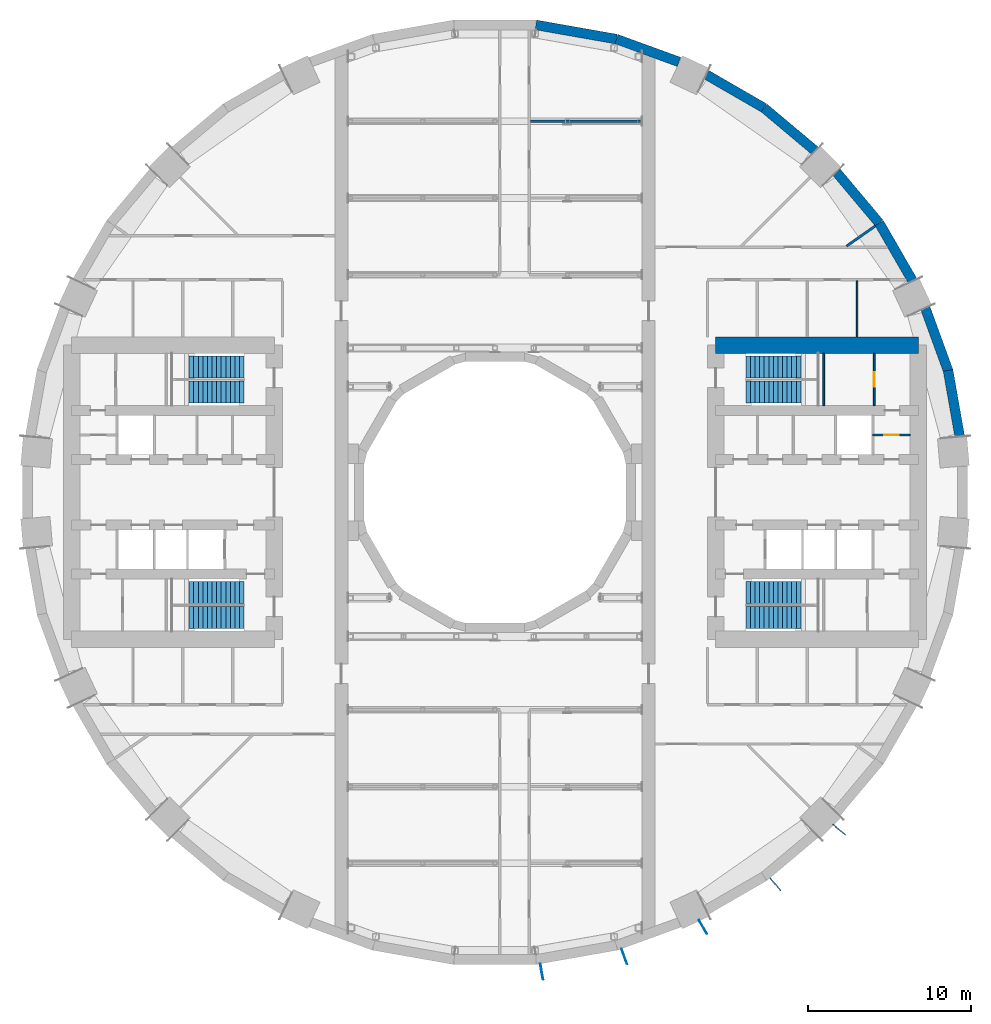
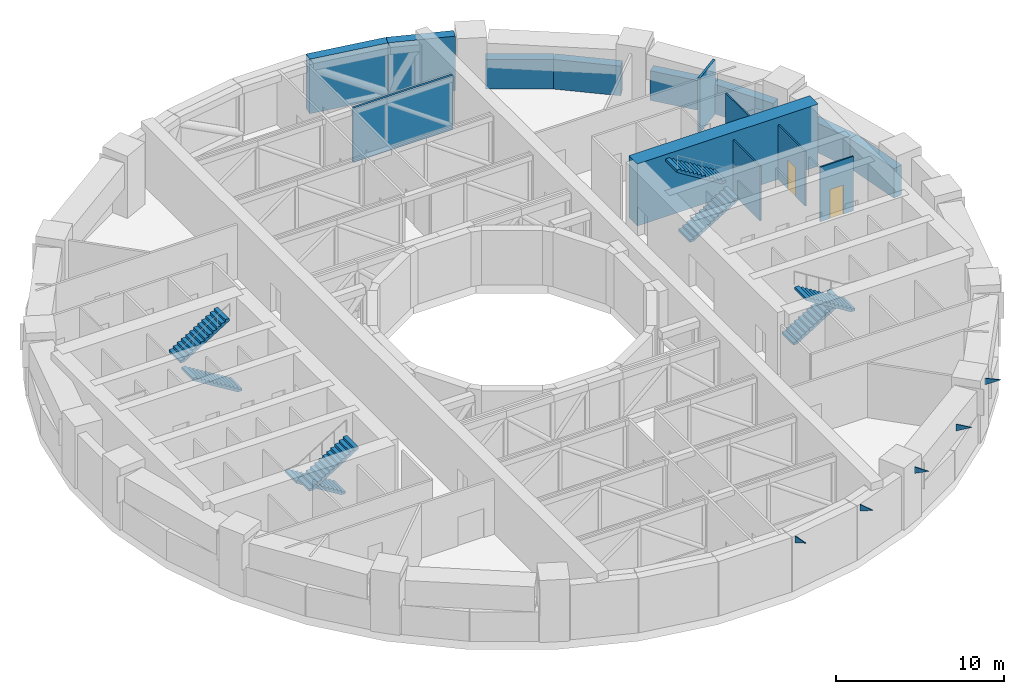
# One storey, part 18 of 21: 15 walls, 8 stair flights, 5 discrete accessories, 2 doors, 2 openings, 4 elements without a shape of their own.
"""IFC4 building model written with IfcOpenShell, lengths in metres."""

from ifc_helpers import new_model, si_unit, direction, frame, frame_2d, origin, place, context, subcontext, project, spatial, polyline, rectangle, outline, extrude, material, layer, layer_set, type_object, element, fill, aggregate, save


model = new_model("IFC4")

# Units and contexts
model_context = context("Model", 3, precision=1e-05, world=origin(), true_north=direction((0.0, 1.0)))
body_context = subcontext(model_context, "Body", "Model", "MODEL_VIEW")
ifc_project = project(units=[si_unit("LENGTHUNIT", "METRE"), si_unit("AREAUNIT", "SQUARE_METRE"), si_unit("VOLUMEUNIT", "CUBIC_METRE"), si_unit("PLANEANGLEUNIT", "RADIAN"), si_unit("MASSUNIT", "GRAM", prefix="KILO")], contexts=[model_context])

# Site, building, storey
site_placement = place(None, origin())
site = spatial("IfcSite", under=ifc_project, at=site_placement, CompositionType="ELEMENT")
building_placement = place(site_placement, origin())
building = spatial("IfcBuilding", under=site, at=building_placement, Name="Saqina Gate Tower", CompositionType="ELEMENT")
storey_placement = place(building_placement, frame((0.0, 0.0, 21.800048828125)))
storey = spatial("IfcBuildingStorey", under=building, at=storey_placement, Name="L05", CompositionType="ELEMENT", Elevation=21.800048828125)

# Wall, opening, door
ifc_material_1 = material(Name="Gypsum board on steel studs", Category="steel")
ifc_layer_1 = layer(ifc_material_1, 0.10009765625)
ifc_layer_set_1 = layer_set([ifc_layer_1], Name="CORE PARTITION")
wall_type_1 = type_object("IfcWallType", Name="CORE PARTITION", PredefinedType="PARTITIONING", material=ifc_layer_set_1)
wall_1_placement = place(storey_placement, frame((23.1201171875, 3.5, 0.0), z_axis=(0.0, 0.0, 1.0), x_axis=(1.0, 0.0, 0.0)))
wall_1 = element("IfcWall", 1, at=wall_1_placement, inside=storey, type_object=wall_type_1, Name="L05-CP-E09", PredefinedType="PARTITIONING", context=body_context, shape_type="SweptSolid", body=[
    extrude(rectangle(XDim=2.27978515625, YDim=0.10009765625, at=frame_2d((1.139892578125, 0.0))), origin(), (0.0, 0.0, 1.0), 3.949951171875),
])
opening_1_placement = place(wall_1_placement, frame((0.68994140625, 0.0, 0.0)))
opening_1 = element("IfcOpeningElement", 2, at=opening_1_placement, cuts=wall_1, Name="Opening L05-D96", PredefinedType="OPENING", context=body_context, shape_type="SweptSolid", body=[
    extrude(rectangle(XDim=0.89990234375, YDim=2.10009765625, at=frame_2d((0.449951171875, 1.050048828125))), frame((0.0, 0.06201171875, 0.0), z_axis=(0.0, -1.0, 0.0), x_axis=(1.0, 0.0, 0.0)), (0.0, 0.0, 1.0), 0.1240234375),
])
ifc_material_2 = material(Name="Steel-framed fire door leaf, EI 60", Category="steel")
door_type = type_object("IfcDoorType", Name="SERVICE ROOM DOOR 900", OperationType="SINGLE_SWING_LEFT", PredefinedType="DOOR", material=ifc_material_2)
door_1_placement = place(opening_1_placement, origin())
door_1 = element("IfcDoor", 3, at=door_1_placement, inside=storey, type_object=door_type, Name="L05-CD-E07", OperationType="SINGLE_SWING_RIGHT", OverallHeight=2.10009765625, OverallWidth=0.89990234375, PredefinedType="DOOR", context=body_context, shape_type="SweptSolid", body=[
    extrude(rectangle(XDim=0.89990234375, YDim=2.10009765625, at=frame_2d((0.449951171875, 1.050048828125))), frame((0.0, 0.02490234375, 0.0), z_axis=(0.0, -1.0, 0.0), x_axis=(1.0, 0.0, 0.0)), (0.0, 0.0, 1.0), 0.050048828125),
])
fill(opening_1, door_1)

wall_2_placement = place(storey_placement, frame((23.19921875, 5.300048828125, 0.0), z_axis=(0.0, 0.0, 1.0), x_axis=(0.0, 1.0, 0.0)))
wall_2 = element("IfcWall", 4, at=wall_2_placement, inside=storey, type_object=wall_type_1, Name="L05-CP-E11", PredefinedType="PARTITIONING", context=body_context, shape_type="SweptSolid", body=[
    extrude(rectangle(XDim=3.199951171875, YDim=0.10009765625, at=frame_2d((1.60009765625, 0.0))), origin(), (0.0, 0.0, 1.0), 3.949951171875),
])
opening_2_placement = place(wall_2_placement, frame((1.14990234375, 0.0, 0.0)))
opening_2 = element("IfcOpeningElement", 5, at=opening_2_placement, cuts=wall_2, Name="Opening L05-D97", PredefinedType="OPENING", context=body_context, shape_type="SweptSolid", body=[
    extrude(rectangle(XDim=0.89990234375, YDim=2.10009765625, at=frame_2d((0.449951171875, 1.050048828125))), frame((0.0, 0.06201171875, 0.0), z_axis=(0.0, -1.0, 0.0), x_axis=(1.0, 0.0, 0.0)), (0.0, 0.0, 1.0), 0.1240234375),
])
door_2_placement = place(opening_2_placement, origin())
door_2 = element("IfcDoor", 6, at=door_2_placement, inside=storey, type_object=door_type, Name="L05-CD-E08", OperationType="SINGLE_SWING_LEFT", OverallHeight=2.10009765625, OverallWidth=0.89990234375, PredefinedType="DOOR", context=body_context, shape_type="SweptSolid", body=[
    extrude(rectangle(XDim=0.89990234375, YDim=2.10009765625, at=frame_2d((0.449951171875, 1.050048828125))), frame((0.0, 0.02490234375, 0.0), z_axis=(0.0, -1.0, 0.0), x_axis=(1.0, 0.0, 0.0)), (0.0, 0.0, 1.0), 0.050048828125),
])
fill(opening_2, door_2)

# Walls
ifc_material_3 = material(Name="Brick masonry (red)", Category="masonry")
ifc_layer_2 = layer(ifc_material_3, 0.60009765625)
ifc_layer_set_2 = layer_set([ifc_layer_2], Name="FW-BRICK-RED")
wall_type_2 = type_object("IfcWallType", Name="FW-BRICK-RED", PredefinedType="SOLIDWALL", material=ifc_layer_set_2)
wall_3_placement = place(storey_placement, frame((25.545166015625, 12.933837890625, 0.0), z_axis=(0.0, 0.0, 1.0), x_axis=(-0.500023678693, 0.866011732453, 0.0)))
element("IfcWall", 7, at=wall_3_placement, inside=storey, type_object=wall_type_2, Name="Facade wall L05 facet 3", PredefinedType="SOLIDWALL", context=body_context, shape_type="SweptSolid", body=[
    extrude(rectangle(XDim=4.069091796875, YDim=0.60009765625, at=frame_2d((2.03466796875, 0.0))), origin(), (0.0, 0.0, 1.0), 2.14990234375),
])
for number, where, z_axis, x_axis, name in (
    (8, (23.50634765625, 16.4638671875, 0.0), (0.0, 0.0, 1.0), (-0.642800844336, 0.766033337734, 0.0), "Facade wall L05 facet 4"),
    (9, (19.5810546875, 20.890625, 0.0), (0.0, 0.0, 1.0), (-0.766033337734, 0.642800844336, 0.0), "Facade wall L05 facet 5"),
):
    element("IfcWall", number, at=place(storey_placement, frame(where, z_axis=z_axis, x_axis=x_axis)), inside=storey, type_object=wall_type_2, Name=name, PredefinedType="SOLIDWALL", context=body_context, shape_type="SweptSolid", body=[
        extrude(rectangle(XDim=4.0693359375, YDim=0.60009765625, at=frame_2d((2.03466796875, 0.0))), origin(), (0.0, 0.0, 1.0), 2.14990234375),
    ])
wall_4_placement = place(storey_placement, frame((16.457763671875, 23.510498046875, 0.0), z_axis=(0.0, 0.0, 1.0), x_axis=(-0.866011732453, 0.500023678693, 0.0)))
element("IfcWall", 10, at=wall_4_placement, inside=storey, type_object=wall_type_2, Name="Facade wall L05 facet 6", PredefinedType="SOLIDWALL", context=body_context, shape_type="SweptSolid", body=[
    extrude(rectangle(XDim=4.069091796875, YDim=0.60009765625, at=frame_2d((2.03466796875, 0.0))), origin(), (0.0, 0.0, 1.0), 2.14990234375),
])
wall_5_placement = place(storey_placement, frame((11.255126953125, 26.327880859375, 0.0), z_axis=(0.0, 0.0, 1.0), x_axis=(-0.939683013865, 0.342046536971, 0.0)))
element("IfcWall", 11, at=wall_5_placement, inside=storey, type_object=wall_type_2, Name="Facade wall L05 facet 7", PredefinedType="SOLIDWALL", context=body_context, shape_type="SweptSolid", body=[
    extrude(rectangle(XDim=4.069091796875, YDim=0.60009765625, at=frame_2d((2.03466796875, 0.0))), origin(), (0.0, 0.0, 1.0), 3.949951171875),
])
wall_6_placement = place(storey_placement, frame((7.424072265625, 27.7216796875, 0.0), z_axis=(0.0, 0.0, 1.0), x_axis=(-0.984806184402, 0.173657073462, 0.0)))
element("IfcWall", 12, at=wall_6_placement, inside=storey, type_object=wall_type_2, Name="Facade wall L05 facet 8", PredefinedType="SOLIDWALL", context=body_context, shape_type="SweptSolid", body=[
    extrude(rectangle(XDim=4.9951171875, YDim=0.60009765625, at=frame_2d((2.49755859375, 0.0))), origin(), (0.0, 0.0, 1.0), 3.949951171875),
])
ifc_material_4 = material(Name="Glazed ceramic tile", Category="ceramic")
ifc_layer_3 = layer(ifc_material_4, 0.60009765625)
ifc_layer_set_3 = layer_set([ifc_layer_3], Name="FW-TILE")
wall_type_3 = type_object("IfcWallType", Name="FW-TILE", PredefinedType="SOLIDWALL", material=ifc_layer_set_3)
wall_7_placement = place(storey_placement, frame((27.72998046875, 7.403076171875, 0.0), z_axis=(0.0, 0.0, 1.0), x_axis=(-0.342034744565, 0.939687306241, 0.0)))
element("IfcWall", 13, at=wall_7_placement, inside=storey, type_object=wall_type_3, Name="Facade wall L05 facet 2", PredefinedType="SOLIDWALL", context=body_context, shape_type="SweptSolid", body=[
    extrude(rectangle(XDim=4.099365234375, YDim=0.60009765625, at=frame_2d((2.0498046875, 0.0))), origin(), (0.0, 0.0, 1.0), 2.14990234375),
])
ifc_material_5 = material(Name="Glazed ceramic tile (dark blue)", Category="ceramic")
ifc_layer_4 = layer(ifc_material_5, 0.60009765625)
ifc_layer_set_4 = layer_set([ifc_layer_4], Name="FW-TILE-CB")
wall_type_4 = type_object("IfcWallType", Name="FW-TILE-CB", PredefinedType="SOLIDWALL", material=ifc_layer_set_4)
wall_8_placement = place(storey_placement, frame((28.42822265625, 3.416748046875, 0.0), z_axis=(0.0, 0.0, 1.0), x_axis=(-0.173673210505, 0.984803338719, 0.0)))
element("IfcWall", 14, at=wall_8_placement, inside=storey, type_object=wall_type_4, Name="Facade wall L05 facet 1", PredefinedType="SOLIDWALL", context=body_context, shape_type="SweptSolid", body=[
    extrude(rectangle(XDim=4.09912109375, YDim=0.60009765625, at=frame_2d((2.049560546875, 0.0))), origin(), (0.0, 0.0, 1.0), 2.14990234375),
])
ifc_material_6 = material(Name="Gypsum board on steel studs, 100 mm", Category="steel")
ifc_layer_5 = layer(ifc_material_6, 0.10009765625)
ifc_layer_set_5 = layer_set([ifc_layer_5], Name="SPECIAL PARTITION 100")
wall_type_5 = type_object("IfcWallType", Name="SPECIAL PARTITION 100", PredefinedType="PARTITIONING", material=ifc_layer_set_5)
wall_9_placement = place(storey_placement, frame((22.14990234375, 9.5, 0.0), z_axis=(0.0, 0.0, 1.0), x_axis=(0.0, 1.0, 0.0)))
element("IfcWall", 15, at=wall_9_placement, inside=storey, type_object=wall_type_5, Name="PARTITION 032", PredefinedType="PARTITIONING", context=body_context, shape_type="SweptSolid", body=[
    extrude(rectangle(XDim=3.425048828125, YDim=0.10009765625, at=frame_2d((1.71240234375, 0.0))), origin(), (0.0, 0.0, 1.0), 3.949951171875),
])
ifc_material_7 = material(Name="Masonry block and plaster, 150 mm, fire rated", Category="masonry")
ifc_layer_6 = layer(ifc_material_7, 0.14990234375)
ifc_layer_set_6 = layer_set([ifc_layer_6], Name="SPECIAL PARTITION EI 60 150")
wall_type_6 = type_object("IfcWallType", Name="SPECIAL PARTITION EI 60 150", PredefinedType="PARTITIONING", material=ifc_layer_set_6)
wall_10_placement = place(storey_placement, frame((2.175048828125, 22.699951171875, 0.0), z_axis=(0.0, 0.0, 1.0), x_axis=(1.0, 0.0, 0.0)))
element("IfcWall", 16, at=wall_10_placement, inside=storey, type_object=wall_type_6, Name="PARTITION 026", PredefinedType="PARTITIONING", context=body_context, shape_type="SweptSolid", body=[
    extrude(rectangle(XDim=6.824951171875, YDim=0.14990234375, at=frame_2d((3.41259765625, 0.0))), origin(), (0.0, 0.0, 1.0), 3.949951171875),
])
wall_11_placement = place(storey_placement, frame((21.499755859375, 15.054443359375, 0.0), z_axis=(0.0, 0.0, 1.0), x_axis=(0.819210591937, 0.57349281256, 0.0)))
element("IfcWall", 17, at=wall_11_placement, inside=storey, type_object=wall_type_6, Name="PARTITION 028", PredefinedType="PARTITIONING", context=body_context, shape_type="SweptSolid", body=[
    extrude(rectangle(XDim=2.151123046875, YDim=0.14990234375, at=frame_2d((1.07568359375, 0.0))), origin(), (0.0, 0.0, 1.0), 3.949951171875),
])
ifc_material_8 = material(Name="Autoclaved aerated concrete block", Category="concrete")
ifc_layer_7 = layer(ifc_material_8, 0.10009765625)
ifc_layer_set_7 = layer_set([ifc_layer_7], Name="STAIR ENCLOSURE WALL")
wall_type_7 = type_object("IfcWallType", Name="STAIR ENCLOSURE WALL", PredefinedType="PARTITIONING", material=ifc_layer_set_7)
wall_12_placement = place(storey_placement, frame((20.110107421875, 5.300048828125, 0.0), z_axis=(0.0, 0.0, 1.0), x_axis=(0.0, 1.0, 0.0)))
element("IfcWall", 18, at=wall_12_placement, inside=storey, type_object=wall_type_7, Name="L05-CP-E10", PredefinedType="PARTITIONING", context=body_context, shape_type="SweptSolid", body=[
    extrude(rectangle(XDim=3.199951171875, YDim=0.10009765625, at=frame_2d((1.60009765625, 0.0))), origin(), (0.0, 0.0, 1.0), 3.949951171875),
])
ifc_material_9 = material(Name="Concrete C70/85", Category="concrete")
ifc_layer_8 = layer(ifc_material_9, 1.0)
ifc_layer_set_8 = layer_set([ifc_layer_8], Name="Concrete C70/85")
wall_type_8 = type_object("IfcWallType", Name="STR-CORE WALL-P-O", PredefinedType="SHEAR", material=ifc_layer_set_8)
wall_13_placement = place(storey_placement, frame((13.5, 9.0, 0.0), z_axis=(0.0, 0.0, 1.0), x_axis=(1.0, 0.0, 0.0)))
element("IfcWall", 19, at=wall_13_placement, inside=storey, type_object=wall_type_8, Name="CORE WALL L05 E-NE", PredefinedType="SHEAR", context=body_context, shape_type="SweptSolid", body=[
    extrude(rectangle(XDim=12.39990234375, YDim=1.0, at=frame_2d((6.199951171875, 0.0))), origin(), (0.0, 0.0, 1.0), 4.5),
])

# Stair, stair flights
ifc_material_10 = material(Name="Concrete C40/50", Category="concrete")
stair_type = type_object("IfcStairType", Name="EXIT STAIR", PredefinedType="HALF_TURN_STAIR", material=ifc_material_10)
stair_1_placement = place(storey_placement, origin())
stair_1 = element("IfcStair", 20, at=stair_1_placement, inside=storey, type_object=stair_type, Name="EXIT STAIR 1", PredefinedType="HALF_TURN_STAIR")
ifc_material_11 = material(Name="Concrete C40/50", Category="concrete")
stair_flight_type = type_object("IfcStairFlightType", Name="EXIT STAIR FLIGHT", PredefinedType="STRAIGHT", material=ifc_material_11)
stair_flight_1_placement = place(storey_placement, frame((15.35009765625, 6.1416015625, 0.0), z_axis=(0.0, 0.0, 1.0), x_axis=(1.0, 0.0, 0.0)))
stair_flight_1 = element("IfcStairFlight", 21, at=stair_flight_1_placement, type_object=stair_flight_type, Name="EXIT STAIR 1 FLIGHT 1", NumberOfRisers=13, NumberOfTreads=12, PredefinedType="STRAIGHT", RiserHeight=0.173076923, TreadLength=0.28, context=body_context, shape_type="SweptSolid", body=[
    extrude(outline(polyline([(0.0, 0.0), (0.0, 0.173095703125), (0.280029296875, 0.173095703125), (0.280029296875, 0.34619140625), (0.56005859375, 0.34619140625), (0.56005859375, 0.519287109375), (0.840087890625, 0.519287109375), (0.840087890625, 0.6923828125), (1.1201171875, 0.6923828125), (1.1201171875, 0.865478515625), (1.39990234375, 0.865478515625), (1.39990234375, 1.03857421875), (1.679931640625, 1.03857421875), (1.679931640625, 1.21142578125), (1.9599609375, 1.21142578125), (1.9599609375, 1.384521484375), (2.239990234375, 1.384521484375), (2.239990234375, 1.5576171875), (2.52001953125, 1.5576171875), (2.52001953125, 1.730712890625), (2.800048828125, 1.730712890625), (2.800048828125, 1.90380859375), (3.080078125, 1.90380859375), (3.080078125, 2.076904296875), (3.360107421875, 2.076904296875), (3.360107421875, 2.25), (3.360107421875, 1.900634765625), (0.28515625, 0.0), (0.0, 0.0)])), frame((0.0, 0.675048828125, 0.0), z_axis=(0.0, -1.0, 0.0), x_axis=(1.0, 0.0, 0.0)), (0.0, 0.0, 1.0), 1.35009765625),
])
stair_flight_2_placement = place(storey_placement, frame((18.7099609375, 7.658447265625, 2.25), z_axis=(0.0, 0.0, 1.0), x_axis=(-1.0, 0.0, 0.0)))
stair_flight_2 = element("IfcStairFlight", 22, at=stair_flight_2_placement, type_object=stair_flight_type, Name="EXIT STAIR 1 FLIGHT 2", NumberOfRisers=13, NumberOfTreads=12, PredefinedType="STRAIGHT", RiserHeight=0.173076923, TreadLength=0.28, context=body_context, shape_type="SweptSolid", body=[
    extrude(outline(polyline([(0.0, 0.0), (0.0, 0.173095703125), (0.280029296875, 0.173095703125), (0.280029296875, 0.34619140625), (0.56005859375, 0.34619140625), (0.56005859375, 0.519287109375), (0.840087890625, 0.519287109375), (0.840087890625, 0.6923828125), (1.1201171875, 0.6923828125), (1.1201171875, 0.865478515625), (1.39990234375, 0.865478515625), (1.39990234375, 1.03857421875), (1.679931640625, 1.03857421875), (1.679931640625, 1.21142578125), (1.9599609375, 1.21142578125), (1.9599609375, 1.384521484375), (2.239990234375, 1.384521484375), (2.239990234375, 1.5576171875), (2.52001953125, 1.5576171875), (2.52001953125, 1.730712890625), (2.800048828125, 1.730712890625), (2.800048828125, 1.90380859375), (3.080078125, 1.90380859375), (3.080078125, 2.076904296875), (3.360107421875, 2.076904296875), (3.360107421875, 2.25), (3.360107421875, 1.900634765625), (0.28515625, 0.0), (0.0, 0.0)])), frame((0.0, 0.675048828125, 0.0), z_axis=(0.0, -1.0, 0.0), x_axis=(1.0, 0.0, 0.0)), (0.0, 0.0, 1.0), 1.35009765625),
])
aggregate(stair_1, [stair_flight_1, stair_flight_2])

stair_2_placement = place(storey_placement, origin())
stair_2 = element("IfcStair", 23, at=stair_2_placement, inside=storey, type_object=stair_type, Name="EXIT STAIR 2", PredefinedType="HALF_TURN_STAIR")
stair_flight_3_placement = place(storey_placement, frame((15.35009765625, -6.1416015625, 0.0), z_axis=(0.0, 0.0, 1.0), x_axis=(1.0, 0.0, 0.0)))
stair_flight_3 = element("IfcStairFlight", 24, at=stair_flight_3_placement, type_object=stair_flight_type, Name="EXIT STAIR 2 FLIGHT 1", NumberOfRisers=13, NumberOfTreads=12, PredefinedType="STRAIGHT", RiserHeight=0.173076923, TreadLength=0.28, context=body_context, shape_type="SweptSolid", body=[
    extrude(outline(polyline([(0.0, 0.0), (0.0, 0.173095703125), (0.280029296875, 0.173095703125), (0.280029296875, 0.34619140625), (0.56005859375, 0.34619140625), (0.56005859375, 0.519287109375), (0.840087890625, 0.519287109375), (0.840087890625, 0.6923828125), (1.1201171875, 0.6923828125), (1.1201171875, 0.865478515625), (1.39990234375, 0.865478515625), (1.39990234375, 1.03857421875), (1.679931640625, 1.03857421875), (1.679931640625, 1.21142578125), (1.9599609375, 1.21142578125), (1.9599609375, 1.384521484375), (2.239990234375, 1.384521484375), (2.239990234375, 1.5576171875), (2.52001953125, 1.5576171875), (2.52001953125, 1.730712890625), (2.800048828125, 1.730712890625), (2.800048828125, 1.90380859375), (3.080078125, 1.90380859375), (3.080078125, 2.076904296875), (3.360107421875, 2.076904296875), (3.360107421875, 2.25), (3.360107421875, 1.900634765625), (0.28515625, 0.0), (0.0, 0.0)])), frame((0.0, 0.675048828125, 0.0), z_axis=(0.0, -1.0, 0.0), x_axis=(1.0, 0.0, 0.0)), (0.0, 0.0, 1.0), 1.35009765625),
])
stair_flight_4_placement = place(storey_placement, frame((18.7099609375, -7.658447265625, 2.25), z_axis=(0.0, 0.0, 1.0), x_axis=(-1.0, 0.0, 0.0)))
stair_flight_4 = element("IfcStairFlight", 25, at=stair_flight_4_placement, type_object=stair_flight_type, Name="EXIT STAIR 2 FLIGHT 2", NumberOfRisers=13, NumberOfTreads=12, PredefinedType="STRAIGHT", RiserHeight=0.173076923, TreadLength=0.28, context=body_context, shape_type="SweptSolid", body=[
    extrude(outline(polyline([(0.0, 0.0), (0.0, 0.173095703125), (0.280029296875, 0.173095703125), (0.280029296875, 0.34619140625), (0.56005859375, 0.34619140625), (0.56005859375, 0.519287109375), (0.840087890625, 0.519287109375), (0.840087890625, 0.6923828125), (1.1201171875, 0.6923828125), (1.1201171875, 0.865478515625), (1.39990234375, 0.865478515625), (1.39990234375, 1.03857421875), (1.679931640625, 1.03857421875), (1.679931640625, 1.21142578125), (1.9599609375, 1.21142578125), (1.9599609375, 1.384521484375), (2.239990234375, 1.384521484375), (2.239990234375, 1.5576171875), (2.52001953125, 1.5576171875), (2.52001953125, 1.730712890625), (2.800048828125, 1.730712890625), (2.800048828125, 1.90380859375), (3.080078125, 1.90380859375), (3.080078125, 2.076904296875), (3.360107421875, 2.076904296875), (3.360107421875, 2.25), (3.360107421875, 1.900634765625), (0.28515625, 0.0), (0.0, 0.0)])), frame((0.0, 0.675048828125, 0.0), z_axis=(0.0, -1.0, 0.0), x_axis=(1.0, 0.0, 0.0)), (0.0, 0.0, 1.0), 1.35009765625),
])
aggregate(stair_2, [stair_flight_3, stair_flight_4])

stair_3_placement = place(storey_placement, origin())
stair_3 = element("IfcStair", 26, at=stair_3_placement, inside=storey, type_object=stair_type, Name="EXIT STAIR 3", PredefinedType="HALF_TURN_STAIR")
stair_flight_5_placement = place(storey_placement, frame((-15.35009765625, 6.1416015625, 0.0), z_axis=(0.0, 0.0, 1.0), x_axis=(-1.0, 0.0, 0.0)))
stair_flight_5 = element("IfcStairFlight", 27, at=stair_flight_5_placement, type_object=stair_flight_type, Name="EXIT STAIR 3 FLIGHT 1", NumberOfRisers=13, NumberOfTreads=12, PredefinedType="STRAIGHT", RiserHeight=0.173076923, TreadLength=0.28, context=body_context, shape_type="SweptSolid", body=[
    extrude(outline(polyline([(0.0, 0.0), (0.0, 0.173095703125), (0.280029296875, 0.173095703125), (0.280029296875, 0.34619140625), (0.56005859375, 0.34619140625), (0.56005859375, 0.519287109375), (0.840087890625, 0.519287109375), (0.840087890625, 0.6923828125), (1.1201171875, 0.6923828125), (1.1201171875, 0.865478515625), (1.39990234375, 0.865478515625), (1.39990234375, 1.03857421875), (1.679931640625, 1.03857421875), (1.679931640625, 1.21142578125), (1.9599609375, 1.21142578125), (1.9599609375, 1.384521484375), (2.239990234375, 1.384521484375), (2.239990234375, 1.5576171875), (2.52001953125, 1.5576171875), (2.52001953125, 1.730712890625), (2.800048828125, 1.730712890625), (2.800048828125, 1.90380859375), (3.080078125, 1.90380859375), (3.080078125, 2.076904296875), (3.360107421875, 2.076904296875), (3.360107421875, 2.25), (3.360107421875, 1.900634765625), (0.28515625, 0.0), (0.0, 0.0)])), frame((0.0, 0.675048828125, 0.0), z_axis=(0.0, -1.0, 0.0), x_axis=(1.0, 0.0, 0.0)), (0.0, 0.0, 1.0), 1.35009765625),
])
stair_flight_6_placement = place(storey_placement, frame((-18.7099609375, 7.658447265625, 2.25), z_axis=(0.0, 0.0, 1.0), x_axis=(1.0, 0.0, 0.0)))
stair_flight_6 = element("IfcStairFlight", 28, at=stair_flight_6_placement, type_object=stair_flight_type, Name="EXIT STAIR 3 FLIGHT 2", NumberOfRisers=13, NumberOfTreads=12, PredefinedType="STRAIGHT", RiserHeight=0.173076923, TreadLength=0.28, context=body_context, shape_type="SweptSolid", body=[
    extrude(outline(polyline([(0.0, 0.0), (0.0, 0.173095703125), (0.280029296875, 0.173095703125), (0.280029296875, 0.34619140625), (0.56005859375, 0.34619140625), (0.56005859375, 0.519287109375), (0.840087890625, 0.519287109375), (0.840087890625, 0.6923828125), (1.1201171875, 0.6923828125), (1.1201171875, 0.865478515625), (1.39990234375, 0.865478515625), (1.39990234375, 1.03857421875), (1.679931640625, 1.03857421875), (1.679931640625, 1.21142578125), (1.9599609375, 1.21142578125), (1.9599609375, 1.384521484375), (2.239990234375, 1.384521484375), (2.239990234375, 1.5576171875), (2.52001953125, 1.5576171875), (2.52001953125, 1.730712890625), (2.800048828125, 1.730712890625), (2.800048828125, 1.90380859375), (3.080078125, 1.90380859375), (3.080078125, 2.076904296875), (3.360107421875, 2.076904296875), (3.360107421875, 2.25), (3.360107421875, 1.900634765625), (0.28515625, 0.0), (0.0, 0.0)])), frame((0.0, 0.675048828125, 0.0), z_axis=(0.0, -1.0, 0.0), x_axis=(1.0, 0.0, 0.0)), (0.0, 0.0, 1.0), 1.35009765625),
])
aggregate(stair_3, [stair_flight_5, stair_flight_6])

stair_4_placement = place(storey_placement, origin())
stair_4 = element("IfcStair", 29, at=stair_4_placement, inside=storey, type_object=stair_type, Name="EXIT STAIR 4", PredefinedType="HALF_TURN_STAIR")
stair_flight_7_placement = place(storey_placement, frame((-15.35009765625, -6.1416015625, 0.0), z_axis=(0.0, 0.0, 1.0), x_axis=(-1.0, 0.0, 0.0)))
stair_flight_7 = element("IfcStairFlight", 30, at=stair_flight_7_placement, type_object=stair_flight_type, Name="EXIT STAIR 4 FLIGHT 1", NumberOfRisers=13, NumberOfTreads=12, PredefinedType="STRAIGHT", RiserHeight=0.173076923, TreadLength=0.28, context=body_context, shape_type="SweptSolid", body=[
    extrude(outline(polyline([(0.0, 0.0), (0.0, 0.173095703125), (0.280029296875, 0.173095703125), (0.280029296875, 0.34619140625), (0.56005859375, 0.34619140625), (0.56005859375, 0.519287109375), (0.840087890625, 0.519287109375), (0.840087890625, 0.6923828125), (1.1201171875, 0.6923828125), (1.1201171875, 0.865478515625), (1.39990234375, 0.865478515625), (1.39990234375, 1.03857421875), (1.679931640625, 1.03857421875), (1.679931640625, 1.21142578125), (1.9599609375, 1.21142578125), (1.9599609375, 1.384521484375), (2.239990234375, 1.384521484375), (2.239990234375, 1.5576171875), (2.52001953125, 1.5576171875), (2.52001953125, 1.730712890625), (2.800048828125, 1.730712890625), (2.800048828125, 1.90380859375), (3.080078125, 1.90380859375), (3.080078125, 2.076904296875), (3.360107421875, 2.076904296875), (3.360107421875, 2.25), (3.360107421875, 1.900634765625), (0.28515625, 0.0), (0.0, 0.0)])), frame((0.0, 0.675048828125, 0.0), z_axis=(0.0, -1.0, 0.0), x_axis=(1.0, 0.0, 0.0)), (0.0, 0.0, 1.0), 1.35009765625),
])
stair_flight_8_placement = place(storey_placement, frame((-18.7099609375, -7.658447265625, 2.25), z_axis=(0.0, 0.0, 1.0), x_axis=(1.0, 0.0, 0.0)))
stair_flight_8 = element("IfcStairFlight", 31, at=stair_flight_8_placement, type_object=stair_flight_type, Name="EXIT STAIR 4 FLIGHT 2", NumberOfRisers=13, NumberOfTreads=12, PredefinedType="STRAIGHT", RiserHeight=0.173076923, TreadLength=0.28, context=body_context, shape_type="SweptSolid", body=[
    extrude(outline(polyline([(0.0, 0.0), (0.0, 0.173095703125), (0.280029296875, 0.173095703125), (0.280029296875, 0.34619140625), (0.56005859375, 0.34619140625), (0.56005859375, 0.519287109375), (0.840087890625, 0.519287109375), (0.840087890625, 0.6923828125), (1.1201171875, 0.6923828125), (1.1201171875, 0.865478515625), (1.39990234375, 0.865478515625), (1.39990234375, 1.03857421875), (1.679931640625, 1.03857421875), (1.679931640625, 1.21142578125), (1.9599609375, 1.21142578125), (1.9599609375, 1.384521484375), (2.239990234375, 1.384521484375), (2.239990234375, 1.5576171875), (2.52001953125, 1.5576171875), (2.52001953125, 1.730712890625), (2.800048828125, 1.730712890625), (2.800048828125, 1.90380859375), (3.080078125, 1.90380859375), (3.080078125, 2.076904296875), (3.360107421875, 2.076904296875), (3.360107421875, 2.25), (3.360107421875, 1.900634765625), (0.28515625, 0.0), (0.0, 0.0)])), frame((0.0, 0.675048828125, 0.0), z_axis=(0.0, -1.0, 0.0), x_axis=(1.0, 0.0, 0.0)), (0.0, 0.0, 1.0), 1.35009765625),
])
aggregate(stair_4, [stair_flight_7, stair_flight_8])

# Discrete accessories
ifc_material_12 = material(Name="Galvanised steel", Category="steel")
ifc_layer_9 = layer(ifc_material_12, 0.050048828125)
ifc_layer_set_9 = layer_set([ifc_layer_9], Name="BR-GUSSET")
discrete_accessory_type = type_object("IfcDiscreteAccessoryType", Name="BR-GUSSET", PredefinedType="BRACKET", material=ifc_layer_set_9)
discrete_accessory_1_placement = place(storey_placement, frame((2.79833984375, -28.841796875, 3.449951171875), z_axis=(0.984820401928, 0.173576426815, 0.0), x_axis=(0.0, 0.0, 1.0)))
element("IfcDiscreteAccessory", 32, at=discrete_accessory_1_placement, inside=storey, type_object=discrete_accessory_type, Name="Terrace slab bracket L06 1", PredefinedType="BRACKET", context=body_context, shape_type="SweptSolid", body=[
    extrude(outline(polyline([(0.0, 0.0), (0.5, 0.0), (0.5, 1.000043540245132), (0.0, 0.0)])), origin(), (0.0, 0.0, -1.0), 0.050048828125),
])
discrete_accessory_2_placement = place(storey_placement, frame((7.76416015625, -27.917724609375, 3.449951171875), z_axis=(0.939686455819, 0.342037080957, 0.0), x_axis=(0.0, 0.0, 1.0)))
element("IfcDiscreteAccessory", 33, at=discrete_accessory_2_placement, inside=storey, type_object=discrete_accessory_type, Name="Terrace slab bracket L06 2", PredefinedType="BRACKET", context=body_context, shape_type="SweptSolid", body=[
    extrude(outline(polyline([(0.0, 0.0), (0.5, 0.0), (0.5, 1.000011503630275), (0.0, 0.0)])), origin(), (0.0, 0.0, -1.0), 0.050048828125),
])
discrete_accessory_3_placement = place(storey_placement, frame((12.494140625, -26.1455078125, 3.449951171875), z_axis=(0.866010750942, 0.50002537861, 0.0), x_axis=(0.0, 0.0, 1.0)))
element("IfcDiscreteAccessory", 34, at=discrete_accessory_3_placement, inside=storey, type_object=discrete_accessory_type, Name="Terrace slab bracket L06 3", PredefinedType="BRACKET", context=body_context, shape_type="SweptSolid", body=[
    extrude(outline(polyline([(0.0, 0.0), (0.5, 0.0), (0.5, 0.9999492453569568), (0.0, 0.0)])), origin(), (0.0, 0.0, -1.0), 0.050048828125),
])
for number, where, z_axis, x_axis, name in (
    (35, (16.844482421875, -23.57861328125, 3.449951171875), (0.766055819685, 0.64277405138, 0.0), (0.0, 0.0, 1.0), "Terrace slab bracket L06 4"),
    (36, (20.682861328125, -20.29541015625, 3.449951171875), (0.64277405138, 0.766055819685, 0.0), (0.0, 0.0, 1.0), "Terrace slab bracket L06 5"),
):
    element("IfcDiscreteAccessory", number, at=place(storey_placement, frame(where, z_axis=z_axis, x_axis=x_axis)), inside=storey, type_object=discrete_accessory_type, Name=name, PredefinedType="BRACKET", context=body_context, shape_type="SweptSolid", body=[
        extrude(outline(polyline([(0.0, 0.0), (0.5, 0.0), (0.5, 1.0000750096322275), (0.0, 0.0)])), origin(), (0.0, 0.0, -1.0), 0.050048828125),
    ])

save(model, "model.ifc")
